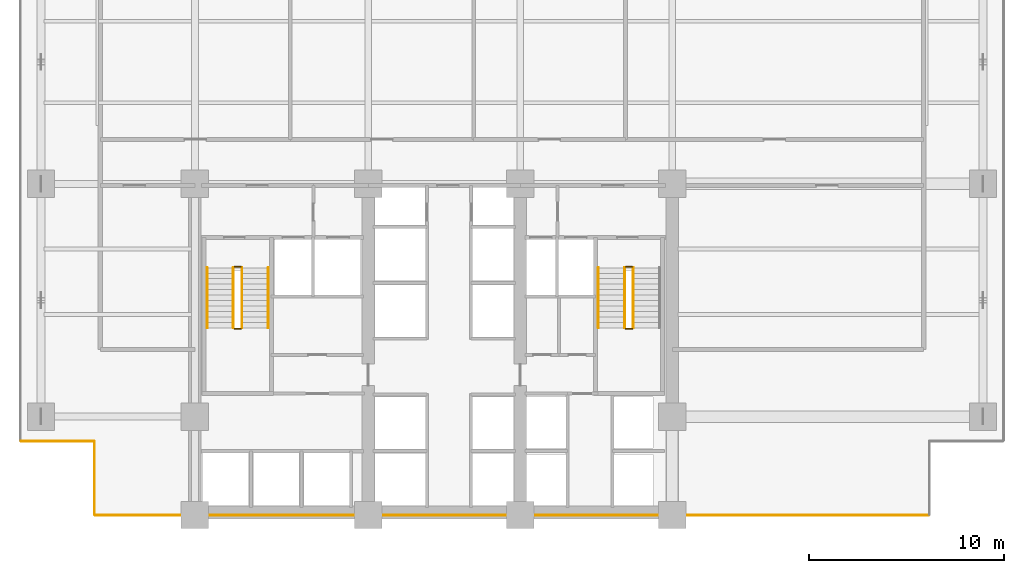
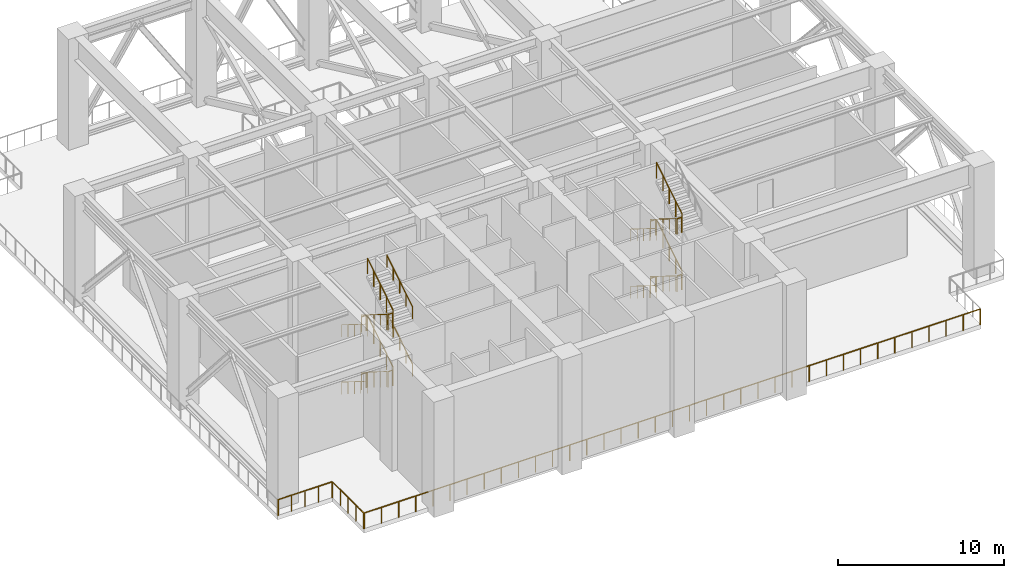
# One storey, part 6 of 7: 25 railings.
"""IFC4 building model written with IfcOpenShell, lengths in metres."""

from ifc_helpers import new_model, si_unit, direction, frame, origin, origin_2d, place, context, subcontext, project, spatial, circle, extrude, material, type_object, element, save


model = new_model("IFC4")

# Units and contexts
model_context = context("Model", 3, precision=1e-05, world=origin(), true_north=direction((0.0, 1.0)))
body_context = subcontext(model_context, "Body", "Model", "MODEL_VIEW")
ifc_project = project(units=[si_unit("LENGTHUNIT", "METRE"), si_unit("AREAUNIT", "SQUARE_METRE"), si_unit("VOLUMEUNIT", "CUBIC_METRE"), si_unit("PLANEANGLEUNIT", "RADIAN"), si_unit("MASSUNIT", "GRAM", prefix="KILO")], contexts=[model_context])

# Site, building, storey
site_placement = place(None, origin())
site = spatial("IfcSite", under=ifc_project, at=site_placement, CompositionType="ELEMENT")
building_placement = place(site_placement, origin())
building = spatial("IfcBuilding", under=site, at=building_placement, Name="Qalmaran Belvedere Hotel", CompositionType="ELEMENT")
storey_placement = place(building_placement, frame((0.0, 0.0, 75.39990234375)))
storey = spatial("IfcBuildingStorey", under=building, at=storey_placement, Name="L19", CompositionType="ELEMENT", Elevation=75.39990234375)

# Railings
ifc_material_1 = material(Name="Anodised Bronze Aluminium", Category="aluminium")
railing_type_1 = type_object("IfcRailingType", Name="GRD-PORTAL-1180", PredefinedType="BALUSTRADE", material=ifc_material_1)
railing_1_placement = place(storey_placement, frame((15.18505859375, 3.5, 0.0)))
element("IfcRailing", 1, at=railing_1_placement, inside=storey, type_object=railing_type_1, Name="L19 Guardrail L19-OUT-1", PredefinedType="BALUSTRADE", context=body_context, shape_type="SweptSolid", body=[
    extrude(circle(Radius=0.02392578125, at=origin_2d()), frame((0.0, 0.0, 1.15576171875), z_axis=(1.0, 0.0, 0.0), x_axis=(0.0, 1.0, 0.0)), (0.0, 0.0, 1.0), 42.780029296875),
    extrude(circle(Radius=0.02099609375, at=origin_2d()), origin(), (0.0, 0.0, 1.0), 1.1318359375),
    extrude(circle(Radius=0.02099609375, at=origin_2d()), frame((1.188232421875, 0.0, 0.0)), (0.0, 0.0, 1.0), 1.1318359375),
    extrude(circle(Radius=0.02099609375, at=origin_2d()), frame((2.376708984375, 0.0, 0.0)), (0.0, 0.0, 1.0), 1.1318359375),
    extrude(circle(Radius=0.02099609375, at=origin_2d()), frame((3.56494140625, 0.0, 0.0)), (0.0, 0.0, 1.0), 1.1318359375),
    extrude(circle(Radius=0.02099609375, at=origin_2d()), frame((4.75341796875, 0.0, 0.0)), (0.0, 0.0, 1.0), 1.1318359375),
    extrude(circle(Radius=0.02099609375, at=origin_2d()), frame((5.941650390625, 0.0, 0.0)), (0.0, 0.0, 1.0), 1.1318359375),
    extrude(circle(Radius=0.02099609375, at=origin_2d()), frame((7.1298828125, 0.0, 0.0)), (0.0, 0.0, 1.0), 1.1318359375),
    extrude(circle(Radius=0.02099609375, at=origin_2d()), frame((8.318359375, 0.0, 0.0)), (0.0, 0.0, 1.0), 1.1318359375),
    extrude(circle(Radius=0.02099609375, at=origin_2d()), frame((9.506591796875, 0.0, 0.0)), (0.0, 0.0, 1.0), 1.1318359375),
    extrude(circle(Radius=0.02099609375, at=origin_2d()), frame((10.695068359375, 0.0, 0.0)), (0.0, 0.0, 1.0), 1.1318359375),
    extrude(circle(Radius=0.02099609375, at=origin_2d()), frame((11.88330078125, 0.0, 0.0)), (0.0, 0.0, 1.0), 1.1318359375),
    extrude(circle(Radius=0.02099609375, at=origin_2d()), frame((13.07177734375, 0.0, 0.0)), (0.0, 0.0, 1.0), 1.1318359375),
    extrude(circle(Radius=0.02099609375, at=origin_2d()), frame((14.260009765625, 0.0, 0.0)), (0.0, 0.0, 1.0), 1.1318359375),
    extrude(circle(Radius=0.02099609375, at=origin_2d()), frame((15.4482421875, 0.0, 0.0)), (0.0, 0.0, 1.0), 1.1318359375),
    extrude(circle(Radius=0.02099609375, at=origin_2d()), frame((16.63671875, 0.0, 0.0)), (0.0, 0.0, 1.0), 1.1318359375),
    extrude(circle(Radius=0.02099609375, at=origin_2d()), frame((17.824951171875, 0.0, 0.0)), (0.0, 0.0, 1.0), 1.1318359375),
    extrude(circle(Radius=0.02099609375, at=origin_2d()), frame((19.013427734375, 0.0, 0.0)), (0.0, 0.0, 1.0), 1.1318359375),
    extrude(circle(Radius=0.02099609375, at=origin_2d()), frame((20.20166015625, 0.0, 0.0)), (0.0, 0.0, 1.0), 1.1318359375),
    extrude(circle(Radius=0.02099609375, at=origin_2d()), frame((21.39013671875, 0.0, 0.0)), (0.0, 0.0, 1.0), 1.1318359375),
    extrude(circle(Radius=0.02099609375, at=origin_2d()), frame((22.578369140625, 0.0, 0.0)), (0.0, 0.0, 1.0), 1.1318359375),
    extrude(circle(Radius=0.02099609375, at=origin_2d()), frame((23.7666015625, 0.0, 0.0)), (0.0, 0.0, 1.0), 1.1318359375),
    extrude(circle(Radius=0.02099609375, at=origin_2d()), frame((24.955078125, 0.0, 0.0)), (0.0, 0.0, 1.0), 1.1318359375),
    extrude(circle(Radius=0.02099609375, at=origin_2d()), frame((26.143310546875, 0.0, 0.0)), (0.0, 0.0, 1.0), 1.1318359375),
    extrude(circle(Radius=0.02099609375, at=origin_2d()), frame((27.331787109375, 0.0, 0.0)), (0.0, 0.0, 1.0), 1.1318359375),
    extrude(circle(Radius=0.02099609375, at=origin_2d()), frame((28.52001953125, 0.0, 0.0)), (0.0, 0.0, 1.0), 1.1318359375),
    extrude(circle(Radius=0.02099609375, at=origin_2d()), frame((29.708251953125, 0.0, 0.0)), (0.0, 0.0, 1.0), 1.1318359375),
    extrude(circle(Radius=0.02099609375, at=origin_2d()), frame((30.896728515625, 0.0, 0.0)), (0.0, 0.0, 1.0), 1.1318359375),
    extrude(circle(Radius=0.02099609375, at=origin_2d()), frame((32.0849609375, 0.0, 0.0)), (0.0, 0.0, 1.0), 1.1318359375),
    extrude(circle(Radius=0.02099609375, at=origin_2d()), frame((33.2734375, 0.0, 0.0)), (0.0, 0.0, 1.0), 1.1318359375),
    extrude(circle(Radius=0.02099609375, at=origin_2d()), frame((34.461669921875, 0.0, 0.0)), (0.0, 0.0, 1.0), 1.1318359375),
    extrude(circle(Radius=0.02099609375, at=origin_2d()), frame((35.64990234375, 0.0, 0.0)), (0.0, 0.0, 1.0), 1.1318359375),
    extrude(circle(Radius=0.02099609375, at=origin_2d()), frame((36.83837890625, 0.0, 0.0)), (0.0, 0.0, 1.0), 1.1318359375),
    extrude(circle(Radius=0.02099609375, at=origin_2d()), frame((38.026611328125, 0.0, 0.0)), (0.0, 0.0, 1.0), 1.1318359375),
    extrude(circle(Radius=0.02099609375, at=origin_2d()), frame((39.215087890625, 0.0, 0.0)), (0.0, 0.0, 1.0), 1.1318359375),
    extrude(circle(Radius=0.02099609375, at=origin_2d()), frame((40.4033203125, 0.0, 0.0)), (0.0, 0.0, 1.0), 1.1318359375),
    extrude(circle(Radius=0.02099609375, at=origin_2d()), frame((41.591796875, 0.0, 0.0)), (0.0, 0.0, 1.0), 1.1318359375),
    extrude(circle(Radius=0.02099609375, at=origin_2d()), frame((42.780029296875, 0.0, 0.0)), (0.0, 0.0, 1.0), 1.1318359375),
])
railing_2_placement = place(storey_placement, frame((11.385009765625, 7.300048828125, 0.0)))
element("IfcRailing", 2, at=railing_2_placement, inside=storey, type_object=railing_type_1, Name="L19 Guardrail L19-OUT-11", PredefinedType="BALUSTRADE", context=body_context, shape_type="SweptSolid", body=[
    extrude(circle(Radius=0.02392578125, at=origin_2d()), frame((0.0, 0.0, 1.15576171875), z_axis=(1.0, 0.0, 0.0), x_axis=(0.0, 1.0, 0.0)), (0.0, 0.0, 1.0), 3.72998046875),
    extrude(circle(Radius=0.02099609375, at=origin_2d()), origin(), (0.0, 0.0, 1.0), 1.1318359375),
    extrude(circle(Radius=0.02099609375, at=origin_2d()), frame((0.9326171875, 0.0, 0.0)), (0.0, 0.0, 1.0), 1.1318359375),
    extrude(circle(Radius=0.02099609375, at=origin_2d()), frame((1.864990234375, 0.0, 0.0)), (0.0, 0.0, 1.0), 1.1318359375),
    extrude(circle(Radius=0.02099609375, at=origin_2d()), frame((2.79736328125, 0.0, 0.0)), (0.0, 0.0, 1.0), 1.1318359375),
    extrude(circle(Radius=0.02099609375, at=origin_2d()), frame((3.72998046875, 0.0, 0.0)), (0.0, 0.0, 1.0), 1.1318359375),
])
railing_3_placement = place(storey_placement, frame((15.14990234375, 7.264892578125, 0.0)))
element("IfcRailing", 3, at=railing_3_placement, inside=storey, type_object=railing_type_1, Name="L19 Guardrail L19-OUT-12", PredefinedType="BALUSTRADE", context=body_context, shape_type="SweptSolid", body=[
    extrude(circle(Radius=0.02392578125, at=origin_2d()), frame((0.0, 0.0, 1.15576171875), z_axis=(0.0, -1.0, 0.0), x_axis=(1.0, 0.0, 0.0)), (0.0, 0.0, 1.0), 3.72998046875),
    extrude(circle(Radius=0.02099609375, at=origin_2d()), origin(), (0.0, 0.0, 1.0), 1.1318359375),
    extrude(circle(Radius=0.02099609375, at=origin_2d()), frame((0.0, -0.9326171875, 0.0)), (0.0, 0.0, 1.0), 1.1318359375),
    extrude(circle(Radius=0.02099609375, at=origin_2d()), frame((0.0, -1.864990234375, 0.0)), (0.0, 0.0, 1.0), 1.1318359375),
    extrude(circle(Radius=0.02099609375, at=origin_2d()), frame((0.0, -2.79736328125, 0.0)), (0.0, 0.0, 1.0), 1.1318359375),
    extrude(circle(Radius=0.02099609375, at=origin_2d()), frame((0.0, -3.72998046875, 0.0)), (0.0, 0.0, 1.0), 1.1318359375),
])
ifc_material_2 = material(Name="Stainless Steel 1.4401", Category="steel")
railing_type_2 = type_object("IfcRailingType", Name="RLG-STAIR-GUARD-1150", PredefinedType="GUARDRAIL", material=ifc_material_2)
railing_4_placement = place(storey_placement, frame((22.280029296875, 16.18994140625, 0.175048828125)))
element("IfcRailing", 4, at=railing_4_placement, inside=storey, type_object=railing_type_2, Name="L19 ST-1 stair guard 1", PredefinedType="GUARDRAIL", context=body_context, shape_type="SweptSolid", body=[
    extrude(circle(Radius=0.02392578125, at=origin_2d()), frame((0.0, 0.0, 1.1259765625), z_axis=(0.0, -0.847979421464, 0.530029150871), x_axis=(1.0, 0.0, 0.0)), (0.0, 0.0, 1.0), 3.632080078125),
    extrude(circle(Radius=0.02099609375, at=origin_2d()), origin(), (0.0, 0.0, 1.0), 1.101806640625),
    extrude(circle(Radius=0.02099609375, at=origin_2d()), frame((0.0, -0.77001953125, 0.481201171875)), (0.0, 0.0, 1.0), 1.101806640625),
    extrude(circle(Radius=0.02099609375, at=origin_2d()), frame((0.0, -1.5400390625, 0.96240234375)), (0.0, 0.0, 1.0), 1.101806640625),
    extrude(circle(Radius=0.02099609375, at=origin_2d()), frame((0.0, -2.309814453125, 1.44384765625)), (0.0, 0.0, 1.0), 1.101806640625),
    extrude(circle(Radius=0.02099609375, at=origin_2d()), frame((0.0, -3.079833984375, 1.925048828125)), (0.0, 0.0, 1.0), 1.101806640625),
])
railing_5_placement = place(storey_placement, frame((22.330078125, 13.06005859375, 2.10009765625)))
element("IfcRailing", 5, at=railing_5_placement, inside=storey, type_object=railing_type_2, Name="L19 ST-1 stair guard 2", PredefinedType="GUARDRAIL", context=body_context, shape_type="SweptSolid", body=[
    extrude(circle(Radius=0.02392578125, at=origin_2d()), frame((0.0, 0.0, 1.1259765625), z_axis=(1.0, 0.0, 0.0), x_axis=(0.0, 1.0, 0.0)), (0.0, 0.0, 1.0), 0.33984375),
    extrude(circle(Radius=0.02099609375, at=origin_2d()), origin(), (0.0, 0.0, 1.0), 1.101806640625),
    extrude(circle(Radius=0.02099609375, at=origin_2d()), frame((0.33984375, 0.0, 0.0)), (0.0, 0.0, 1.0), 1.101806640625),
])
railing_6_placement = place(storey_placement, frame((22.719970703125, 13.110107421875, 2.275146484375)))
element("IfcRailing", 6, at=railing_6_placement, inside=storey, type_object=railing_type_2, Name="L19 ST-1 stair guard 3", PredefinedType="GUARDRAIL", context=body_context, shape_type="SweptSolid", body=[
    extrude(circle(Radius=0.02392578125, at=origin_2d()), frame((0.0, 0.0, 1.1259765625), z_axis=(0.0, 0.847979421464, 0.530029150871), x_axis=(-1.0, 0.0, 0.0)), (0.0, 0.0, 1.0), 3.632080078125),
    extrude(circle(Radius=0.02099609375, at=origin_2d()), origin(), (0.0, 0.0, 1.0), 1.101806640625),
    extrude(circle(Radius=0.02099609375, at=origin_2d()), frame((0.0, 0.77001953125, 0.481201171875)), (0.0, 0.0, 1.0), 1.101806640625),
    extrude(circle(Radius=0.02099609375, at=origin_2d()), frame((0.0, 1.5400390625, 0.96240234375)), (0.0, 0.0, 1.0), 1.101806640625),
    extrude(circle(Radius=0.02099609375, at=origin_2d()), frame((0.0, 2.309814453125, 1.44384765625)), (0.0, 0.0, 1.0), 1.101806640625),
    extrude(circle(Radius=0.02099609375, at=origin_2d()), frame((0.0, 3.079833984375, 1.925048828125)), (0.0, 0.0, 1.0), 1.101806640625),
])
railing_7_placement = place(storey_placement, frame((22.330078125, 16.239990234375, 4.2001953125)))
element("IfcRailing", 7, at=railing_7_placement, inside=storey, type_object=railing_type_2, Name="L19 ST-1 stair guard 4", PredefinedType="GUARDRAIL", context=body_context, shape_type="SweptSolid", body=[
    extrude(circle(Radius=0.02392578125, at=origin_2d()), frame((0.0, 0.0, 1.1259765625), z_axis=(1.0, 0.0, 0.0), x_axis=(0.0, 1.0, 0.0)), (0.0, 0.0, 1.0), 0.33984375),
    extrude(circle(Radius=0.02099609375, at=origin_2d()), origin(), (0.0, 0.0, 1.0), 1.101806640625),
    extrude(circle(Radius=0.02099609375, at=origin_2d()), frame((0.33984375, 0.0, 0.0)), (0.0, 0.0, 1.0), 1.101806640625),
])
railing_8_placement = place(storey_placement, frame((22.280029296875, 16.18994140625, 4.375)))
element("IfcRailing", 8, at=railing_8_placement, inside=storey, type_object=railing_type_2, Name="L19 ST-1 stair guard 5", PredefinedType="GUARDRAIL", context=body_context, shape_type="SweptSolid", body=[
    extrude(circle(Radius=0.02392578125, at=origin_2d()), frame((0.0, 0.0, 1.1259765625), z_axis=(0.0, -0.847979421464, 0.530029150871), x_axis=(1.0, 0.0, 0.0)), (0.0, 0.0, 1.0), 3.632080078125),
    extrude(circle(Radius=0.02099609375, at=origin_2d()), origin(), (0.0, 0.0, 1.0), 1.101806640625),
    extrude(circle(Radius=0.02099609375, at=origin_2d()), frame((0.0, -0.77001953125, 0.481201171875)), (0.0, 0.0, 1.0), 1.101806640625),
    extrude(circle(Radius=0.02099609375, at=origin_2d()), frame((0.0, -1.5400390625, 0.96240234375)), (0.0, 0.0, 1.0), 1.101806640625),
    extrude(circle(Radius=0.02099609375, at=origin_2d()), frame((0.0, -2.309814453125, 1.44384765625)), (0.0, 0.0, 1.0), 1.101806640625),
    extrude(circle(Radius=0.02099609375, at=origin_2d()), frame((0.0, -3.079833984375, 1.925048828125)), (0.0, 0.0, 1.0), 1.101806640625),
])
railing_9_placement = place(storey_placement, frame((22.330078125, 13.06005859375, 6.300048828125)))
element("IfcRailing", 9, at=railing_9_placement, inside=storey, type_object=railing_type_2, Name="L19 ST-1 stair guard 6", PredefinedType="GUARDRAIL", context=body_context, shape_type="SweptSolid", body=[
    extrude(circle(Radius=0.02392578125, at=origin_2d()), frame((0.0, 0.0, 1.1259765625), z_axis=(1.0, 0.0, 0.0), x_axis=(0.0, 1.0, 0.0)), (0.0, 0.0, 1.0), 0.33984375),
    extrude(circle(Radius=0.02099609375, at=origin_2d()), origin(), (0.0, 0.0, 1.0), 1.101806640625),
    extrude(circle(Radius=0.02099609375, at=origin_2d()), frame((0.33984375, 0.0, 0.0)), (0.0, 0.0, 1.0), 1.101806640625),
])
railing_10_placement = place(storey_placement, frame((22.719970703125, 13.110107421875, 6.47509765625)))
element("IfcRailing", 10, at=railing_10_placement, inside=storey, type_object=railing_type_2, Name="L19 ST-1 stair guard 7", PredefinedType="GUARDRAIL", context=body_context, shape_type="SweptSolid", body=[
    extrude(circle(Radius=0.02392578125, at=origin_2d()), frame((0.0, 0.0, 1.1259765625), z_axis=(0.0, 0.847979421464, 0.530029150871), x_axis=(-1.0, 0.0, 0.0)), (0.0, 0.0, 1.0), 3.632080078125),
    extrude(circle(Radius=0.02099609375, at=origin_2d()), origin(), (0.0, 0.0, 1.0), 1.101806640625),
    extrude(circle(Radius=0.02099609375, at=origin_2d()), frame((0.0, 0.77001953125, 0.481201171875)), (0.0, 0.0, 1.0), 1.101806640625),
    extrude(circle(Radius=0.02099609375, at=origin_2d()), frame((0.0, 1.5400390625, 0.96240234375)), (0.0, 0.0, 1.0), 1.101806640625),
    extrude(circle(Radius=0.02099609375, at=origin_2d()), frame((0.0, 2.309814453125, 1.44384765625)), (0.0, 0.0, 1.0), 1.101806640625),
    extrude(circle(Radius=0.02099609375, at=origin_2d()), frame((0.0, 3.079833984375, 1.925048828125)), (0.0, 0.0, 1.0), 1.101806640625),
])
railing_11_placement = place(storey_placement, frame((22.330078125, 16.239990234375, 0.0)))
element("IfcRailing", 11, at=railing_11_placement, inside=storey, type_object=railing_type_2, Name="L19 ST-1 stair guard 8", PredefinedType="GUARDRAIL", context=body_context, shape_type="SweptSolid", body=[
    extrude(circle(Radius=0.02392578125, at=origin_2d()), frame((0.0, 0.0, 1.1259765625), z_axis=(1.0, 0.0, 0.0), x_axis=(0.0, 1.0, 0.0)), (0.0, 0.0, 1.0), 0.33984375),
    extrude(circle(Radius=0.02099609375, at=origin_2d()), origin(), (0.0, 0.0, 1.0), 1.101806640625),
    extrude(circle(Radius=0.02099609375, at=origin_2d()), frame((0.33984375, 0.0, 0.0)), (0.0, 0.0, 1.0), 1.101806640625),
])
railing_12_placement = place(storey_placement, frame((42.360107421875, 16.18994140625, 0.175048828125)))
element("IfcRailing", 12, at=railing_12_placement, inside=storey, type_object=railing_type_2, Name="L19 ST-2 stair guard 1", PredefinedType="GUARDRAIL", context=body_context, shape_type="SweptSolid", body=[
    extrude(circle(Radius=0.02392578125, at=origin_2d()), frame((0.0, 0.0, 1.1259765625), z_axis=(0.0, -0.847979421464, 0.530029150871), x_axis=(1.0, 0.0, 0.0)), (0.0, 0.0, 1.0), 3.632080078125),
    extrude(circle(Radius=0.02099609375, at=origin_2d()), origin(), (0.0, 0.0, 1.0), 1.101806640625),
    extrude(circle(Radius=0.02099609375, at=origin_2d()), frame((0.0, -0.77001953125, 0.481201171875)), (0.0, 0.0, 1.0), 1.101806640625),
    extrude(circle(Radius=0.02099609375, at=origin_2d()), frame((0.0, -1.5400390625, 0.96240234375)), (0.0, 0.0, 1.0), 1.101806640625),
    extrude(circle(Radius=0.02099609375, at=origin_2d()), frame((0.0, -2.309814453125, 1.44384765625)), (0.0, 0.0, 1.0), 1.101806640625),
    extrude(circle(Radius=0.02099609375, at=origin_2d()), frame((0.0, -3.079833984375, 1.925048828125)), (0.0, 0.0, 1.0), 1.101806640625),
])
railing_13_placement = place(storey_placement, frame((42.409912109375, 13.06005859375, 2.10009765625)))
element("IfcRailing", 13, at=railing_13_placement, inside=storey, type_object=railing_type_2, Name="L19 ST-2 stair guard 2", PredefinedType="GUARDRAIL", context=body_context, shape_type="SweptSolid", body=[
    extrude(circle(Radius=0.02392578125, at=origin_2d()), frame((0.0, 0.0, 1.1259765625), z_axis=(1.0, 0.0, 0.0), x_axis=(0.0, 1.0, 0.0)), (0.0, 0.0, 1.0), 0.340087890625),
    extrude(circle(Radius=0.02099609375, at=origin_2d()), origin(), (0.0, 0.0, 1.0), 1.101806640625),
    extrude(circle(Radius=0.02099609375, at=origin_2d()), frame((0.340087890625, 0.0, 0.0)), (0.0, 0.0, 1.0), 1.101806640625),
])
railing_14_placement = place(storey_placement, frame((42.800048828125, 13.110107421875, 2.275146484375)))
element("IfcRailing", 14, at=railing_14_placement, inside=storey, type_object=railing_type_2, Name="L19 ST-2 stair guard 3", PredefinedType="GUARDRAIL", context=body_context, shape_type="SweptSolid", body=[
    extrude(circle(Radius=0.02392578125, at=origin_2d()), frame((0.0, 0.0, 1.1259765625), z_axis=(0.0, 0.847979421464, 0.530029150871), x_axis=(-1.0, 0.0, 0.0)), (0.0, 0.0, 1.0), 3.632080078125),
    extrude(circle(Radius=0.02099609375, at=origin_2d()), origin(), (0.0, 0.0, 1.0), 1.101806640625),
    extrude(circle(Radius=0.02099609375, at=origin_2d()), frame((0.0, 0.77001953125, 0.481201171875)), (0.0, 0.0, 1.0), 1.101806640625),
    extrude(circle(Radius=0.02099609375, at=origin_2d()), frame((0.0, 1.5400390625, 0.96240234375)), (0.0, 0.0, 1.0), 1.101806640625),
    extrude(circle(Radius=0.02099609375, at=origin_2d()), frame((0.0, 2.309814453125, 1.44384765625)), (0.0, 0.0, 1.0), 1.101806640625),
    extrude(circle(Radius=0.02099609375, at=origin_2d()), frame((0.0, 3.079833984375, 1.925048828125)), (0.0, 0.0, 1.0), 1.101806640625),
])
railing_15_placement = place(storey_placement, frame((42.409912109375, 16.239990234375, 4.2001953125)))
element("IfcRailing", 15, at=railing_15_placement, inside=storey, type_object=railing_type_2, Name="L19 ST-2 stair guard 4", PredefinedType="GUARDRAIL", context=body_context, shape_type="SweptSolid", body=[
    extrude(circle(Radius=0.02392578125, at=origin_2d()), frame((0.0, 0.0, 1.1259765625), z_axis=(1.0, 0.0, 0.0), x_axis=(0.0, 1.0, 0.0)), (0.0, 0.0, 1.0), 0.340087890625),
    extrude(circle(Radius=0.02099609375, at=origin_2d()), origin(), (0.0, 0.0, 1.0), 1.101806640625),
    extrude(circle(Radius=0.02099609375, at=origin_2d()), frame((0.340087890625, 0.0, 0.0)), (0.0, 0.0, 1.0), 1.101806640625),
])
railing_16_placement = place(storey_placement, frame((42.360107421875, 16.18994140625, 4.375)))
element("IfcRailing", 16, at=railing_16_placement, inside=storey, type_object=railing_type_2, Name="L19 ST-2 stair guard 5", PredefinedType="GUARDRAIL", context=body_context, shape_type="SweptSolid", body=[
    extrude(circle(Radius=0.02392578125, at=origin_2d()), frame((0.0, 0.0, 1.1259765625), z_axis=(0.0, -0.847979421464, 0.530029150871), x_axis=(1.0, 0.0, 0.0)), (0.0, 0.0, 1.0), 3.632080078125),
    extrude(circle(Radius=0.02099609375, at=origin_2d()), origin(), (0.0, 0.0, 1.0), 1.101806640625),
    extrude(circle(Radius=0.02099609375, at=origin_2d()), frame((0.0, -0.77001953125, 0.481201171875)), (0.0, 0.0, 1.0), 1.101806640625),
    extrude(circle(Radius=0.02099609375, at=origin_2d()), frame((0.0, -1.5400390625, 0.96240234375)), (0.0, 0.0, 1.0), 1.101806640625),
    extrude(circle(Radius=0.02099609375, at=origin_2d()), frame((0.0, -2.309814453125, 1.44384765625)), (0.0, 0.0, 1.0), 1.101806640625),
    extrude(circle(Radius=0.02099609375, at=origin_2d()), frame((0.0, -3.079833984375, 1.925048828125)), (0.0, 0.0, 1.0), 1.101806640625),
])
railing_17_placement = place(storey_placement, frame((42.409912109375, 13.06005859375, 6.300048828125)))
element("IfcRailing", 17, at=railing_17_placement, inside=storey, type_object=railing_type_2, Name="L19 ST-2 stair guard 6", PredefinedType="GUARDRAIL", context=body_context, shape_type="SweptSolid", body=[
    extrude(circle(Radius=0.02392578125, at=origin_2d()), frame((0.0, 0.0, 1.1259765625), z_axis=(1.0, 0.0, 0.0), x_axis=(0.0, 1.0, 0.0)), (0.0, 0.0, 1.0), 0.340087890625),
    extrude(circle(Radius=0.02099609375, at=origin_2d()), origin(), (0.0, 0.0, 1.0), 1.101806640625),
    extrude(circle(Radius=0.02099609375, at=origin_2d()), frame((0.340087890625, 0.0, 0.0)), (0.0, 0.0, 1.0), 1.101806640625),
])
railing_18_placement = place(storey_placement, frame((42.800048828125, 13.110107421875, 6.47509765625)))
element("IfcRailing", 18, at=railing_18_placement, inside=storey, type_object=railing_type_2, Name="L19 ST-2 stair guard 7", PredefinedType="GUARDRAIL", context=body_context, shape_type="SweptSolid", body=[
    extrude(circle(Radius=0.02392578125, at=origin_2d()), frame((0.0, 0.0, 1.1259765625), z_axis=(0.0, 0.847979421464, 0.530029150871), x_axis=(-1.0, 0.0, 0.0)), (0.0, 0.0, 1.0), 3.632080078125),
    extrude(circle(Radius=0.02099609375, at=origin_2d()), origin(), (0.0, 0.0, 1.0), 1.101806640625),
    extrude(circle(Radius=0.02099609375, at=origin_2d()), frame((0.0, 0.77001953125, 0.481201171875)), (0.0, 0.0, 1.0), 1.101806640625),
    extrude(circle(Radius=0.02099609375, at=origin_2d()), frame((0.0, 1.5400390625, 0.96240234375)), (0.0, 0.0, 1.0), 1.101806640625),
    extrude(circle(Radius=0.02099609375, at=origin_2d()), frame((0.0, 2.309814453125, 1.44384765625)), (0.0, 0.0, 1.0), 1.101806640625),
    extrude(circle(Radius=0.02099609375, at=origin_2d()), frame((0.0, 3.079833984375, 1.925048828125)), (0.0, 0.0, 1.0), 1.101806640625),
])
railing_19_placement = place(storey_placement, frame((42.409912109375, 16.239990234375, 0.0)))
element("IfcRailing", 19, at=railing_19_placement, inside=storey, type_object=railing_type_2, Name="L19 ST-2 stair guard 8", PredefinedType="GUARDRAIL", context=body_context, shape_type="SweptSolid", body=[
    extrude(circle(Radius=0.02392578125, at=origin_2d()), frame((0.0, 0.0, 1.1259765625), z_axis=(1.0, 0.0, 0.0), x_axis=(0.0, 1.0, 0.0)), (0.0, 0.0, 1.0), 0.340087890625),
    extrude(circle(Radius=0.02099609375, at=origin_2d()), origin(), (0.0, 0.0, 1.0), 1.101806640625),
    extrude(circle(Radius=0.02099609375, at=origin_2d()), frame((0.340087890625, 0.0, 0.0)), (0.0, 0.0, 1.0), 1.101806640625),
])
railing_type_3 = type_object("IfcRailingType", Name="RLG-STAIR-HAND-910", PredefinedType="HANDRAIL", material=ifc_material_2)
railing_20_placement = place(storey_placement, frame((20.929931640625, 16.18994140625, 0.175048828125)))
element("IfcRailing", 20, at=railing_20_placement, inside=storey, type_object=railing_type_3, Name="L19 ST-1 stair handrail 1", PredefinedType="HANDRAIL", context=body_context, shape_type="SweptSolid", body=[
    extrude(circle(Radius=0.02392578125, at=origin_2d()), frame((0.0, 0.0, 0.8857421875), z_axis=(0.0, -0.847979421464, 0.530029150871), x_axis=(1.0, 0.0, 0.0)), (0.0, 0.0, 1.0), 3.632080078125),
    extrude(circle(Radius=0.02099609375, at=origin_2d()), origin(), (0.0, 0.0, 1.0), 0.86181640625),
    extrude(circle(Radius=0.02099609375, at=origin_2d()), frame((0.0, -0.77001953125, 0.481201171875)), (0.0, 0.0, 1.0), 0.86181640625),
    extrude(circle(Radius=0.02099609375, at=origin_2d()), frame((0.0, -1.5400390625, 0.96240234375)), (0.0, 0.0, 1.0), 0.86181640625),
    extrude(circle(Radius=0.02099609375, at=origin_2d()), frame((0.0, -2.309814453125, 1.44384765625)), (0.0, 0.0, 1.0), 0.86181640625),
    extrude(circle(Radius=0.02099609375, at=origin_2d()), frame((0.0, -3.079833984375, 1.925048828125)), (0.0, 0.0, 1.0), 0.86181640625),
])
railing_21_placement = place(storey_placement, frame((24.070068359375, 13.110107421875, 2.275146484375)))
element("IfcRailing", 21, at=railing_21_placement, inside=storey, type_object=railing_type_3, Name="L19 ST-1 stair handrail 2", PredefinedType="HANDRAIL", context=body_context, shape_type="SweptSolid", body=[
    extrude(circle(Radius=0.02392578125, at=origin_2d()), frame((0.0, 0.0, 0.8857421875), z_axis=(0.0, 0.847979421464, 0.530029150871), x_axis=(-1.0, 0.0, 0.0)), (0.0, 0.0, 1.0), 3.632080078125),
    extrude(circle(Radius=0.02099609375, at=origin_2d()), origin(), (0.0, 0.0, 1.0), 0.86181640625),
    extrude(circle(Radius=0.02099609375, at=origin_2d()), frame((0.0, 0.77001953125, 0.481201171875)), (0.0, 0.0, 1.0), 0.86181640625),
    extrude(circle(Radius=0.02099609375, at=origin_2d()), frame((0.0, 1.5400390625, 0.96240234375)), (0.0, 0.0, 1.0), 0.86181640625),
    extrude(circle(Radius=0.02099609375, at=origin_2d()), frame((0.0, 2.309814453125, 1.44384765625)), (0.0, 0.0, 1.0), 0.86181640625),
    extrude(circle(Radius=0.02099609375, at=origin_2d()), frame((0.0, 3.079833984375, 1.925048828125)), (0.0, 0.0, 1.0), 0.86181640625),
])
railing_22_placement = place(storey_placement, frame((20.929931640625, 16.18994140625, 4.375)))
element("IfcRailing", 22, at=railing_22_placement, inside=storey, type_object=railing_type_3, Name="L19 ST-1 stair handrail 3", PredefinedType="HANDRAIL", context=body_context, shape_type="SweptSolid", body=[
    extrude(circle(Radius=0.02392578125, at=origin_2d()), frame((0.0, 0.0, 0.8857421875), z_axis=(0.0, -0.847979421464, 0.530029150871), x_axis=(1.0, 0.0, 0.0)), (0.0, 0.0, 1.0), 3.632080078125),
    extrude(circle(Radius=0.02099609375, at=origin_2d()), origin(), (0.0, 0.0, 1.0), 0.86181640625),
    extrude(circle(Radius=0.02099609375, at=origin_2d()), frame((0.0, -0.77001953125, 0.481201171875)), (0.0, 0.0, 1.0), 0.86181640625),
    extrude(circle(Radius=0.02099609375, at=origin_2d()), frame((0.0, -1.5400390625, 0.96240234375)), (0.0, 0.0, 1.0), 0.86181640625),
    extrude(circle(Radius=0.02099609375, at=origin_2d()), frame((0.0, -2.309814453125, 1.44384765625)), (0.0, 0.0, 1.0), 0.86181640625),
    extrude(circle(Radius=0.02099609375, at=origin_2d()), frame((0.0, -3.079833984375, 1.925048828125)), (0.0, 0.0, 1.0), 0.86181640625),
])
railing_23_placement = place(storey_placement, frame((24.070068359375, 13.110107421875, 6.47509765625)))
element("IfcRailing", 23, at=railing_23_placement, inside=storey, type_object=railing_type_3, Name="L19 ST-1 stair handrail 4", PredefinedType="HANDRAIL", context=body_context, shape_type="SweptSolid", body=[
    extrude(circle(Radius=0.02392578125, at=origin_2d()), frame((0.0, 0.0, 0.8857421875), z_axis=(0.0, 0.847979421464, 0.530029150871), x_axis=(-1.0, 0.0, 0.0)), (0.0, 0.0, 1.0), 3.632080078125),
    extrude(circle(Radius=0.02099609375, at=origin_2d()), origin(), (0.0, 0.0, 1.0), 0.86181640625),
    extrude(circle(Radius=0.02099609375, at=origin_2d()), frame((0.0, 0.77001953125, 0.481201171875)), (0.0, 0.0, 1.0), 0.86181640625),
    extrude(circle(Radius=0.02099609375, at=origin_2d()), frame((0.0, 1.5400390625, 0.96240234375)), (0.0, 0.0, 1.0), 0.86181640625),
    extrude(circle(Radius=0.02099609375, at=origin_2d()), frame((0.0, 2.309814453125, 1.44384765625)), (0.0, 0.0, 1.0), 0.86181640625),
    extrude(circle(Radius=0.02099609375, at=origin_2d()), frame((0.0, 3.079833984375, 1.925048828125)), (0.0, 0.0, 1.0), 0.86181640625),
])
for number, where, name in (
    (24, (41.010009765625, 16.18994140625, 0.175048828125), "L19 ST-2 stair handrail 1"),
    (25, (41.010009765625, 16.18994140625, 4.375), "L19 ST-2 stair handrail 3"),
):
    element("IfcRailing", number, at=place(storey_placement, frame(where)), inside=storey, type_object=railing_type_3, Name=name, PredefinedType="HANDRAIL", context=body_context, shape_type="SweptSolid", body=[
        extrude(circle(Radius=0.02392578125, at=origin_2d()), frame((0.0, 0.0, 0.8857421875), z_axis=(0.0, -0.847979421464, 0.530029150871), x_axis=(1.0, 0.0, 0.0)), (0.0, 0.0, 1.0), 3.632080078125),
        extrude(circle(Radius=0.02099609375, at=origin_2d()), origin(), (0.0, 0.0, 1.0), 0.86181640625),
        extrude(circle(Radius=0.02099609375, at=origin_2d()), frame((0.0, -0.77001953125, 0.481201171875)), (0.0, 0.0, 1.0), 0.86181640625),
        extrude(circle(Radius=0.02099609375, at=origin_2d()), frame((0.0, -1.5400390625, 0.96240234375)), (0.0, 0.0, 1.0), 0.86181640625),
        extrude(circle(Radius=0.02099609375, at=origin_2d()), frame((0.0, -2.309814453125, 1.44384765625)), (0.0, 0.0, 1.0), 0.86181640625),
        extrude(circle(Radius=0.02099609375, at=origin_2d()), frame((0.0, -3.079833984375, 1.925048828125)), (0.0, 0.0, 1.0), 0.86181640625),
    ])

save(model, "model.ifc")
